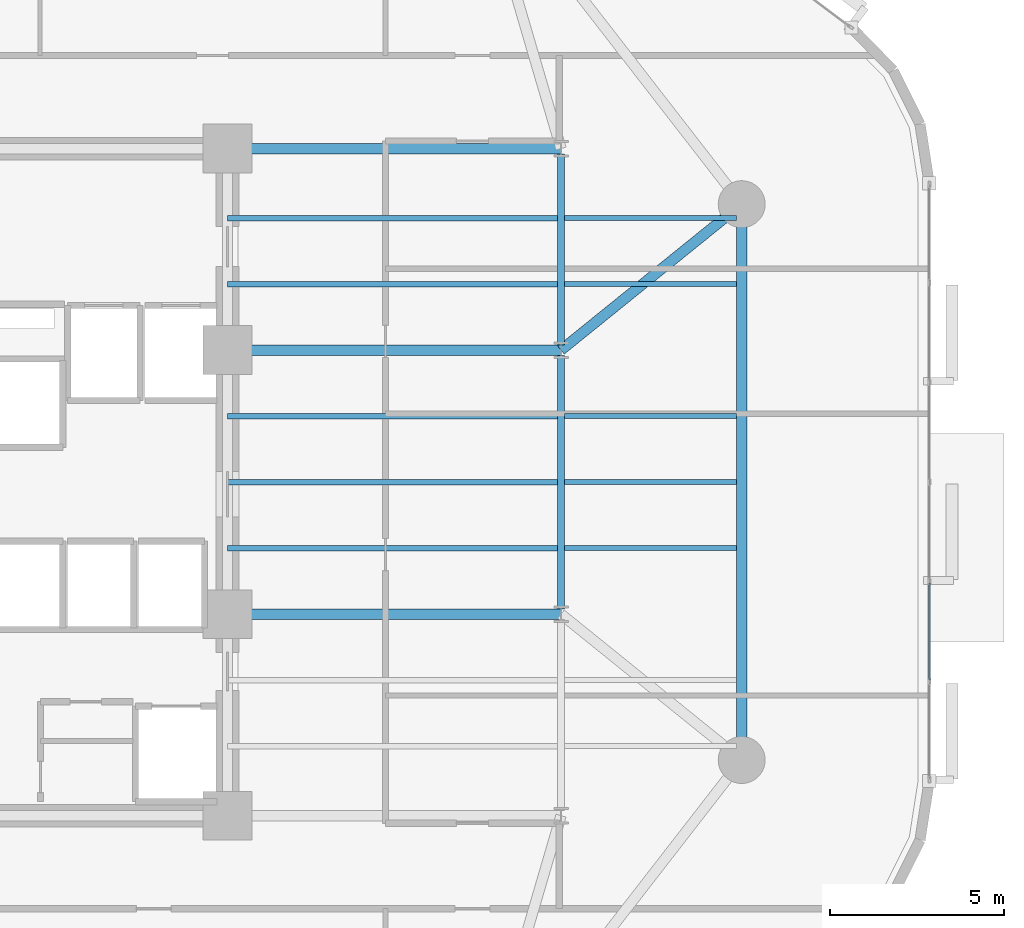
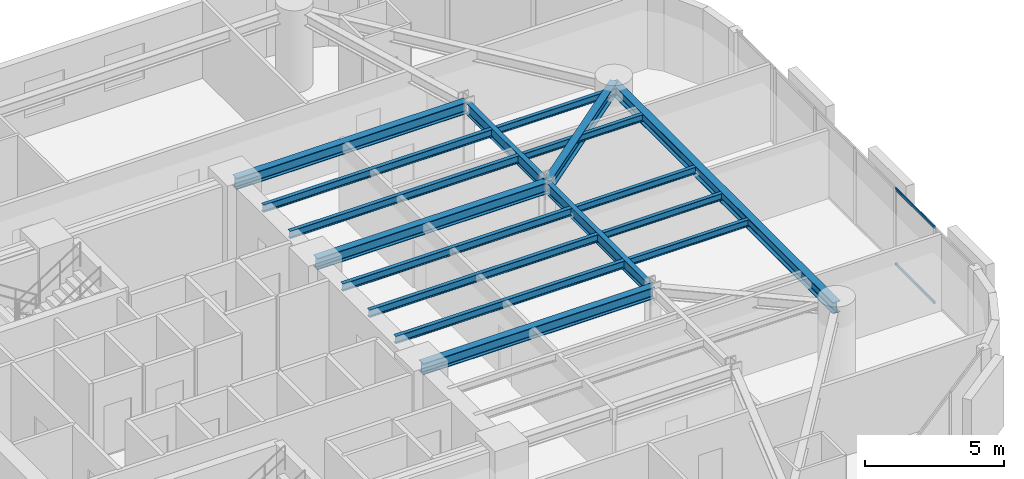
# One storey, part 5 of 15: 17 beams, 2 members, 1 element without a shape of its own.
"""IFC4 building model written with IfcOpenShell, lengths in metres."""

from ifc_helpers import new_model, si_unit, direction, frame, origin, origin_2d, place, context, subcontext, project, spatial, hollow_rectangle, i_section, extrude, material, layer, layer_set, material_profile, profile_set, type_object, element, aggregate, save


model = new_model("IFC4")

# Units and contexts
model_context = context("Model", 3, precision=1e-05, world=origin(), true_north=direction((0.0, 1.0)))
body_context = subcontext(model_context, "Body", "Model", "MODEL_VIEW")
ifc_project = project(units=[si_unit("LENGTHUNIT", "METRE"), si_unit("AREAUNIT", "SQUARE_METRE"), si_unit("VOLUMEUNIT", "CUBIC_METRE"), si_unit("PLANEANGLEUNIT", "RADIAN"), si_unit("MASSUNIT", "GRAM", prefix="KILO")], contexts=[model_context])

# Site, building, storey
site_placement = place(None, origin())
site = spatial("IfcSite", under=ifc_project, at=site_placement, CompositionType="ELEMENT")
building_placement = place(site_placement, origin())
building = spatial("IfcBuilding", under=site, at=building_placement, Name="An Khanh Terracotta Commons", CompositionType="ELEMENT")
storey_placement = place(building_placement, frame((0.0, 0.0, 129.5)))
storey = spatial("IfcBuildingStorey", under=building, at=storey_placement, Name="L34", CompositionType="ELEMENT", Elevation=129.5)

# Beams
ifc_material_1 = material(Name="Steel S355J2", Category="steel")
ifc_material_profile_1 = material_profile(ifc_material_1, i_section(OverallWidth=0.300048828125, OverallDepth=0.5, WebThickness=0.014404296875, FlangeThickness=0.028076171875, FilletRadius=0.027099609375, at=origin_2d()), Name="HEB500")
ifc_profile_set_1 = profile_set([ifc_material_profile_1], Name="Steel S355J2")
beam_type_1 = type_object("IfcBeamType", Name="BM-HEB500", PredefinedType="BEAM", material=ifc_profile_set_1)
beam_1_placement = place(storey_placement, frame((52.0, 16.0, 3.110107421875), z_axis=(0.0, 1.0, 0.0), x_axis=(-1.0, 0.0, 0.0)))
element("IfcBeam", 1, at=beam_1_placement, inside=storey, type_object=beam_type_1, Name="L34 Perimeter Ring Spandrel 3", PredefinedType="BEAM", context=body_context, shape_type="SweptSolid", body=[
    extrude(i_section(OverallWidth=0.300048828125, OverallDepth=0.5, WebThickness=0.014404296875, FlangeThickness=0.028076171875, FilletRadius=0.027099609375, at=origin_2d()), origin(), (0.0, 0.0, 1.0), 16.0),
])
for number, where, z_axis, x_axis, name in (
    (2, (37.199951171875, 20.199951171875, 3.110107421875), (1.0, 0.0, 0.0), (0.0, 1.0, 0.0), "L34 East Primary Floor Girder 2"),
    (3, (37.199951171875, 27.800048828125, 3.110107421875), (1.0, 0.0, 0.0), (0.0, 1.0, 0.0), "L34 East Primary Floor Girder 3"),
    (4, (37.199951171875, 33.60009765625, 3.110107421875), (1.0, 0.0, 0.0), (0.0, 1.0, 0.0), "L34 East Primary Floor Girder 4"),
):
    element("IfcBeam", number, at=place(storey_placement, frame(where, z_axis=z_axis, x_axis=x_axis)), inside=storey, type_object=beam_type_1, Name=name, PredefinedType="BEAM", context=body_context, shape_type="SweptSolid", body=[
        extrude(i_section(OverallWidth=0.300048828125, OverallDepth=0.5, WebThickness=0.014404296875, FlangeThickness=0.028076171875, FilletRadius=0.027099609375, at=origin_2d()), origin(), (0.0, 0.0, 1.0), 9.60009765625),
    ])
beam_2_placement = place(storey_placement, frame((52.0, 32.0, 3.110107421875), z_axis=(-0.777941866883, -0.628336256913, 0.0), x_axis=(0.628336256913, -0.777941866883, 0.0)))
element("IfcBeam", 5, at=beam_2_placement, inside=storey, type_object=beam_type_1, Name="L34 Mega-Column Tie Girder 4", PredefinedType="BEAM", context=body_context, shape_type="SweptSolid", body=[
    extrude(i_section(OverallWidth=0.300048828125, OverallDepth=0.5, WebThickness=0.014404296875, FlangeThickness=0.028076171875, FilletRadius=0.027099609375, at=origin_2d()), origin(), (0.0, 0.0, 1.0), 6.684326171875),
])
ifc_material_profile_2 = material_profile(ifc_material_1, i_section(OverallWidth=0.14990234375, OverallDepth=0.300048828125, WebThickness=0.007080078125, FlangeThickness=0.0107421875, FilletRadius=0.014892578125, at=origin_2d()), Name="IPE300")
ifc_profile_set_2 = profile_set([ifc_material_profile_2], Name="Steel S355J2")
beam_type_2 = type_object("IfcBeamType", Name="BM-IPE300", PredefinedType="JOIST", material=ifc_profile_set_2)
for number, where, z_axis, x_axis, name in (
    (6, (46.89990234375, 22.10009765625, 3.2099609375), (1.0, 0.0, 0.0), (0.0, 1.0, 0.0), "L34 Riverfront Composite Joist 3"),
    (7, (46.89990234375, 24.0, 3.2099609375), (1.0, 0.0, 0.0), (0.0, 1.0, 0.0), "L34 Riverfront Composite Joist 4"),
    (8, (46.89990234375, 25.89990234375, 3.2099609375), (1.0, 0.0, 0.0), (0.0, 1.0, 0.0), "L34 Riverfront Composite Joist 5"),
    (9, (46.89990234375, 29.699951171875, 3.2099609375), (1.0, 0.0, 0.0), (0.0, 1.0, 0.0), "L34 Riverfront Composite Joist 6"),
    (10, (46.89990234375, 31.60009765625, 3.2099609375), (1.0, 0.0, 0.0), (0.0, 1.0, 0.0), "L34 Riverfront Composite Joist 7"),
):
    element("IfcBeam", number, at=place(storey_placement, frame(where, z_axis=z_axis, x_axis=x_axis)), inside=storey, type_object=beam_type_2, Name=name, PredefinedType="JOIST", context=body_context, shape_type="SweptSolid", body=[
        extrude(i_section(OverallWidth=0.14990234375, OverallDepth=0.300048828125, WebThickness=0.007080078125, FlangeThickness=0.0107421875, FilletRadius=0.014892578125, at=origin_2d()), origin(), (0.0, 0.0, 1.0), 4.9501953125),
    ])
ifc_material_profile_3 = material_profile(ifc_material_1, i_section(OverallWidth=0.159912109375, OverallDepth=0.330078125, WebThickness=0.007568359375, FlangeThickness=0.011474609375, FilletRadius=0.01806640625, at=origin_2d()), Name="IPE330")
ifc_profile_set_3 = profile_set([ifc_material_profile_3], Name="Steel S355J2")
beam_type_3 = type_object("IfcBeamType", Name="BM-IPE330", PredefinedType="JOIST", material=ifc_profile_set_3)
for number, where, z_axis, x_axis, name in (
    (11, (37.199951171875, 22.10009765625, 3.195068359375), (1.0, 0.0, 0.0), (0.0, 1.0, 0.0), "L34 Inboard Composite Joist 3"),
    (12, (37.199951171875, 24.0, 3.195068359375), (1.0, 0.0, 0.0), (0.0, 1.0, 0.0), "L34 Inboard Composite Joist 4"),
    (13, (37.199951171875, 25.89990234375, 3.195068359375), (1.0, 0.0, 0.0), (0.0, 1.0, 0.0), "L34 Inboard Composite Joist 5"),
    (14, (37.199951171875, 29.699951171875, 3.195068359375), (1.0, 0.0, 0.0), (0.0, 1.0, 0.0), "L34 Inboard Composite Joist 6"),
    (15, (37.199951171875, 31.60009765625, 3.195068359375), (1.0, 0.0, 0.0), (0.0, 1.0, 0.0), "L34 Inboard Composite Joist 7"),
):
    element("IfcBeam", number, at=place(storey_placement, frame(where, z_axis=z_axis, x_axis=x_axis)), inside=storey, type_object=beam_type_3, Name=name, PredefinedType="JOIST", context=body_context, shape_type="SweptSolid", body=[
        extrude(i_section(OverallWidth=0.159912109375, OverallDepth=0.330078125, WebThickness=0.007568359375, FlangeThickness=0.011474609375, FilletRadius=0.01806640625, at=origin_2d()), origin(), (0.0, 0.0, 1.0), 9.5),
    ])
ifc_material_profile_4 = material_profile(ifc_material_1, i_section(OverallWidth=0.199951171875, OverallDepth=0.5, WebThickness=0.01025390625, FlangeThickness=0.01611328125, FilletRadius=0.02099609375, at=origin_2d()), Name="IPE500")
ifc_profile_set_4 = profile_set([ifc_material_profile_4], Name="Steel S355J2")
beam_type_4 = type_object("IfcBeamType", Name="BM-IPE500", PredefinedType="BEAM", material=ifc_profile_set_4)
beam_3_placement = place(storey_placement, frame((46.800048828125, 20.35009765625, 3.110107421875), z_axis=(0.0, 1.0, 0.0), x_axis=(-1.0, 0.0, 0.0)))
element("IfcBeam", 16, at=beam_3_placement, inside=storey, type_object=beam_type_4, Name="L34 East Spine Girder 2", PredefinedType="BEAM", context=body_context, shape_type="SweptSolid", body=[
    extrude(i_section(OverallWidth=0.199951171875, OverallDepth=0.5, WebThickness=0.01025390625, FlangeThickness=0.01611328125, FilletRadius=0.02099609375, at=origin_2d()), origin(), (0.0, 0.0, 1.0), 7.2998046875),
])
beam_4_placement = place(storey_placement, frame((46.800048828125, 27.949951171875, 3.110107421875), z_axis=(0.0, 1.0, 0.0), x_axis=(-1.0, 0.0, 0.0)))
element("IfcBeam", 17, at=beam_4_placement, inside=storey, type_object=beam_type_4, Name="L34 East Spine Girder 3", PredefinedType="BEAM", context=body_context, shape_type="SweptSolid", body=[
    extrude(i_section(OverallWidth=0.199951171875, OverallDepth=0.5, WebThickness=0.01025390625, FlangeThickness=0.01611328125, FilletRadius=0.02099609375, at=origin_2d()), origin(), (0.0, 0.0, 1.0), 5.5),
])

# Curtain wall, members
ifc_material_2 = material(Name="Anodised Aluminium 6063-T6", Category="aluminium")
ifc_layer = layer(ifc_material_2, 0.199951171875, Name="Anodised Aluminium 6063-T6")
ifc_layer_set = layer_set([ifc_layer], Name="Anodised Aluminium 6063-T6")
curtain_wall_type = type_object("IfcCurtainWallType", Name="CW-SYS-02", PredefinedType="USERDEFINED", material=ifc_layer_set)
curtain_wall_placement = place(storey_placement, origin())
curtain_wall = element("IfcCurtainWall", 18, at=curtain_wall_placement, inside=storey, type_object=curtain_wall_type, Name="L34 CW-02 Unitised Curtain Wall CW-L34-12", ObjectType="UNITISED CURTAIN WALL", PredefinedType="USERDEFINED")
ifc_material_profile_5 = material_profile(ifc_material_2, hollow_rectangle(XDim=0.06005859375, YDim=0.1201171875, WallThickness=0.003662109375, InnerFilletRadius=0.003662109375, OuterFilletRadius=0.007080078125, at=origin_2d()), Name="RHS120x60x3.6")
ifc_profile_set_5 = profile_set([ifc_material_profile_5], Name="Anodised Aluminium 6063-T6")
member_type = type_object("IfcMemberType", Name="CWT-RHS120x60x3.6", PredefinedType="USERDEFINED", material=ifc_profile_set_5)
member_1_placement = place(storey_placement, frame((57.39990234375, 18.3017578125, 0.030029296875), z_axis=(0.0, 1.0, 0.0), x_axis=(-1.0, 0.0, 0.0)))
member_1 = element("IfcMember", 19, at=member_1_placement, type_object=member_type, Name="CW-02 transom 2.1", ObjectType="TRANSOM", PredefinedType="USERDEFINED", context=body_context, shape_type="SweptSolid", body=[
    extrude(hollow_rectangle(XDim=0.06005859375, YDim=0.1201171875, WallThickness=0.003662109375, InnerFilletRadius=0.003662109375, OuterFilletRadius=0.007080078125, at=origin_2d()), origin(), (0.0, 0.0, 1.0), 2.796630859375),
])
member_2_placement = place(storey_placement, frame((57.39990234375, 18.3017578125, 3.330078125), z_axis=(0.0, 1.0, 0.0), x_axis=(-1.0, 0.0, 0.0)))
member_2 = element("IfcMember", 20, at=member_2_placement, type_object=member_type, Name="CW-02 transom 2.2", ObjectType="TRANSOM", PredefinedType="USERDEFINED", context=body_context, shape_type="SweptSolid", body=[
    extrude(hollow_rectangle(XDim=0.06005859375, YDim=0.1201171875, WallThickness=0.003662109375, InnerFilletRadius=0.003662109375, OuterFilletRadius=0.007080078125, at=origin_2d()), origin(), (0.0, 0.0, 1.0), 2.796630859375),
])
aggregate(curtain_wall, [member_1, member_2])

save(model, "model.ifc")
